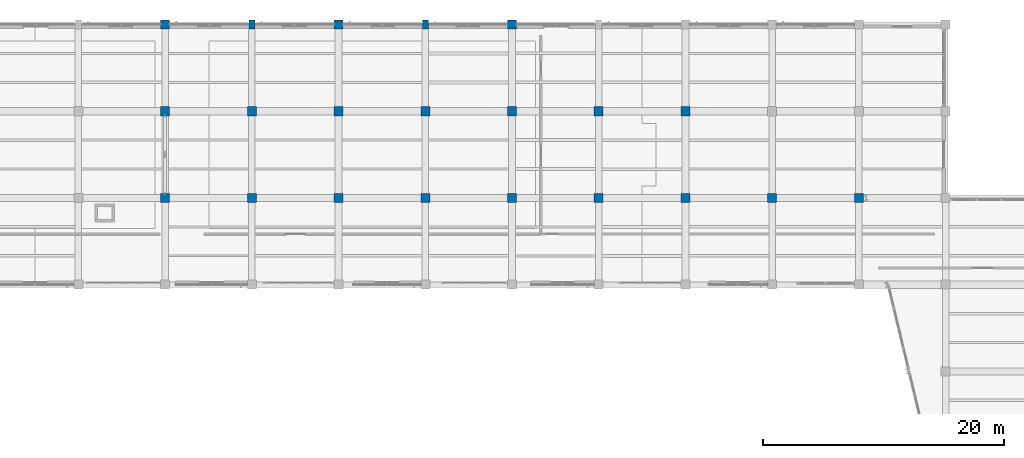
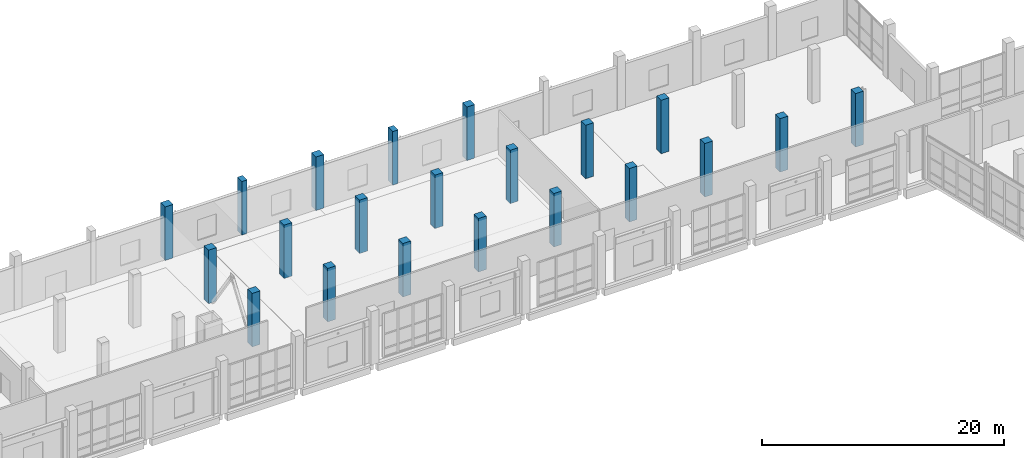
# One storey, part 3 of 137: 21 columns.
"""IFC4 building model written with IfcOpenShell, lengths in metres."""

from ifc_helpers import new_model, si_unit, direction, frame, origin, origin_2d, place, context, subcontext, project, spatial, rectangle, extrude, material, material_profile, profile_set, type_object, element, save


model = new_model("IFC4")

# Units and contexts
model_context = context("Model", 3, precision=1e-05, world=origin(), true_north=direction((0.0, 1.0)))
body_context = subcontext(model_context, "Body", "Model", "MODEL_VIEW")
ifc_project = project(units=[si_unit("LENGTHUNIT", "METRE"), si_unit("AREAUNIT", "SQUARE_METRE"), si_unit("VOLUMEUNIT", "CUBIC_METRE"), si_unit("PLANEANGLEUNIT", "RADIAN"), si_unit("MASSUNIT", "GRAM", prefix="KILO")], contexts=[model_context])

# Site, building, storey
site_placement = place(None, origin())
site = spatial("IfcSite", under=ifc_project, at=site_placement, CompositionType="ELEMENT")
building_placement = place(site_placement, origin())
building = spatial("IfcBuilding", under=site, at=building_placement, Name="Kalmorath City Hall", CompositionType="ELEMENT")
storey_placement = place(building_placement, origin())
storey = spatial("IfcBuildingStorey", under=building, at=storey_placement, Name="L00", CompositionType="ELEMENT", Elevation=0.0)

# Columns
ifc_material_1 = material(Name="Concrete C50/60", Category="concrete")
ifc_material_profile_1 = material_profile(ifc_material_1, rectangle(XDim=0.5, YDim=0.75, at=origin_2d()), Name="RC-PIL-500X750")
ifc_profile_set_1 = profile_set([ifc_material_profile_1], Name="Concrete C50/60")
column_type_1 = type_object("IfcColumnType", Name="Concrete acoustic wall pilaster 500x750", PredefinedType="PILASTER", material=ifc_profile_set_1)
for number, where, z_axis, x_axis, name in (
    (1, (72.0, 115.199951171875, 0.0), (0.0, 0.0, 1.0), (1.0, 0.0, 0.0), "L00 column CP1 (11/17)"),
    (2, (86.39990234375, 115.199951171875, 0.0), (0.0, 0.0, 1.0), (1.0, 0.0, 0.0), "L00 column CP1 (13/17)"),
):
    element("IfcColumn", number, at=place(storey_placement, frame(where, z_axis=z_axis, x_axis=x_axis)), inside=storey, type_object=column_type_1, Name=name, PredefinedType="PILASTER", context=body_context, shape_type="SweptSolid", body=[
        extrude(rectangle(XDim=0.5, YDim=0.75, at=origin_2d()), origin(), (0.0, 0.0, 1.0), 5.39990234375),
    ])
ifc_material_2 = material(Name="Concrete C50/60", Category="concrete")
ifc_material_profile_2 = material_profile(ifc_material_2, rectangle(XDim=0.75, YDim=0.75, at=origin_2d()), Name="RC-COL-750X750")
ifc_profile_set_2 = profile_set([ifc_material_profile_2], Name="Concrete C50/60")
column_type_2 = type_object("IfcColumnType", Name="Concrete column 750x750", PredefinedType="COLUMN", material=ifc_profile_set_2)
for number, where, z_axis, x_axis, name in (
    (3, (64.800048828125, 100.800048828125, 0.0), (0.0, 0.0, 1.0), (1.0, 0.0, 0.0), "L00 column C3 (10/15)"),
    (4, (64.800048828125, 108.0, 0.0), (0.0, 0.0, 1.0), (1.0, 0.0, 0.0), "L00 column C3 (10/16)"),
    (5, (64.800048828125, 115.199951171875, 0.0), (0.0, 0.0, 1.0), (1.0, 0.0, 0.0), "L00 column C3 (10/17)"),
    (6, (72.0, 100.800048828125, 0.0), (0.0, 0.0, 1.0), (1.0, 0.0, 0.0), "L00 column C3 (11/15)"),
    (7, (72.0, 108.0, 0.0), (0.0, 0.0, 1.0), (1.0, 0.0, 0.0), "L00 column C3 (11/16)"),
    (8, (79.199951171875, 100.800048828125, 0.0), (0.0, 0.0, 1.0), (1.0, 0.0, 0.0), "L00 column C3 (12/15)"),
    (9, (79.199951171875, 108.0, 0.0), (0.0, 0.0, 1.0), (1.0, 0.0, 0.0), "L00 column C3 (12/16)"),
    (10, (79.199951171875, 115.199951171875, 0.0), (0.0, 0.0, 1.0), (1.0, 0.0, 0.0), "L00 column C3 (12/17)"),
    (11, (86.39990234375, 100.800048828125, 0.0), (0.0, 0.0, 1.0), (1.0, 0.0, 0.0), "L00 column C3 (13/15)"),
    (12, (86.39990234375, 108.0, 0.0), (0.0, 0.0, 1.0), (1.0, 0.0, 0.0), "L00 column C3 (13/16)"),
    (13, (93.60009765625, 100.800048828125, 0.0), (0.0, 0.0, 1.0), (1.0, 0.0, 0.0), "L00 column C3 (14/15)"),
    (14, (93.60009765625, 108.0, 0.0), (0.0, 0.0, 1.0), (1.0, 0.0, 0.0), "L00 column C3 (14/16)"),
    (15, (93.60009765625, 115.199951171875, 0.0), (0.0, 0.0, 1.0), (1.0, 0.0, 0.0), "L00 column C3 (14/17)"),
    (16, (100.800048828125, 100.800048828125, 0.0), (0.0, 0.0, 1.0), (1.0, 0.0, 0.0), "L00 column C3 (15/15)"),
    (17, (100.800048828125, 108.0, 0.0), (0.0, 0.0, 1.0), (1.0, 0.0, 0.0), "L00 column C3 (15/16)"),
    (18, (108.0, 100.800048828125, 0.0), (0.0, 0.0, 1.0), (1.0, 0.0, 0.0), "L00 column C3 (16/15)"),
    (19, (108.0, 108.0, 0.0), (0.0, 0.0, 1.0), (1.0, 0.0, 0.0), "L00 column C3 (16/16)"),
    (20, (115.199951171875, 100.800048828125, 0.0), (0.0, 0.0, 1.0), (1.0, 0.0, 0.0), "L00 column C3 (17/15)"),
    (21, (122.39990234375, 100.800048828125, 0.0), (0.0, 0.0, 1.0), (1.0, 0.0, 0.0), "L00 column C3 (18/15)"),
):
    element("IfcColumn", number, at=place(storey_placement, frame(where, z_axis=z_axis, x_axis=x_axis)), inside=storey, type_object=column_type_2, Name=name, PredefinedType="COLUMN", context=body_context, shape_type="SweptSolid", body=[
        extrude(rectangle(XDim=0.75, YDim=0.75, at=origin_2d()), origin(), (0.0, 0.0, 1.0), 5.39990234375),
    ])

save(model, "model.ifc")
